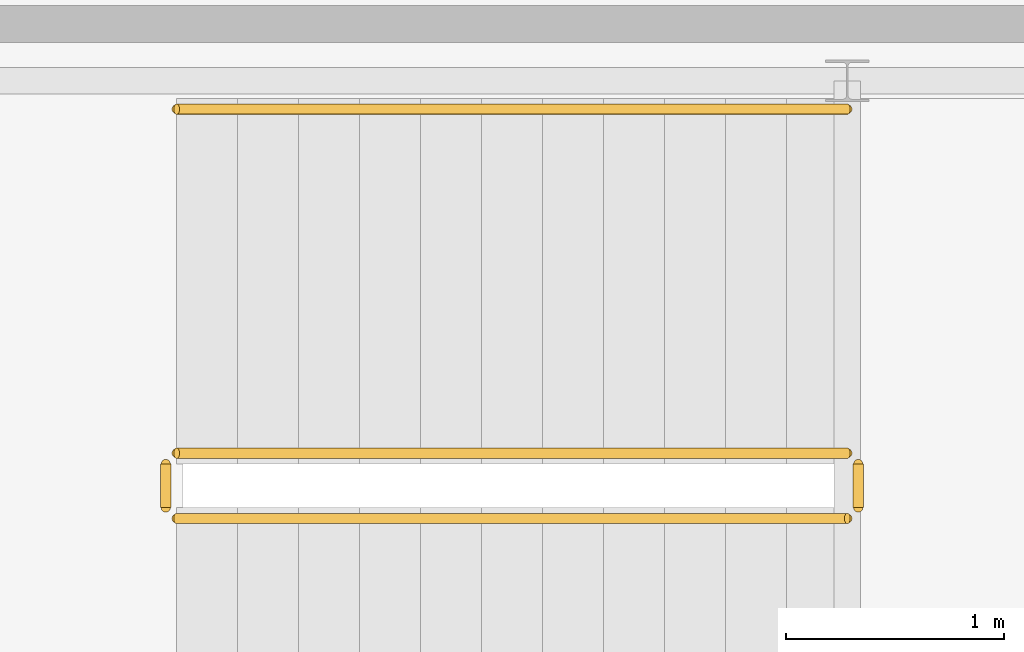
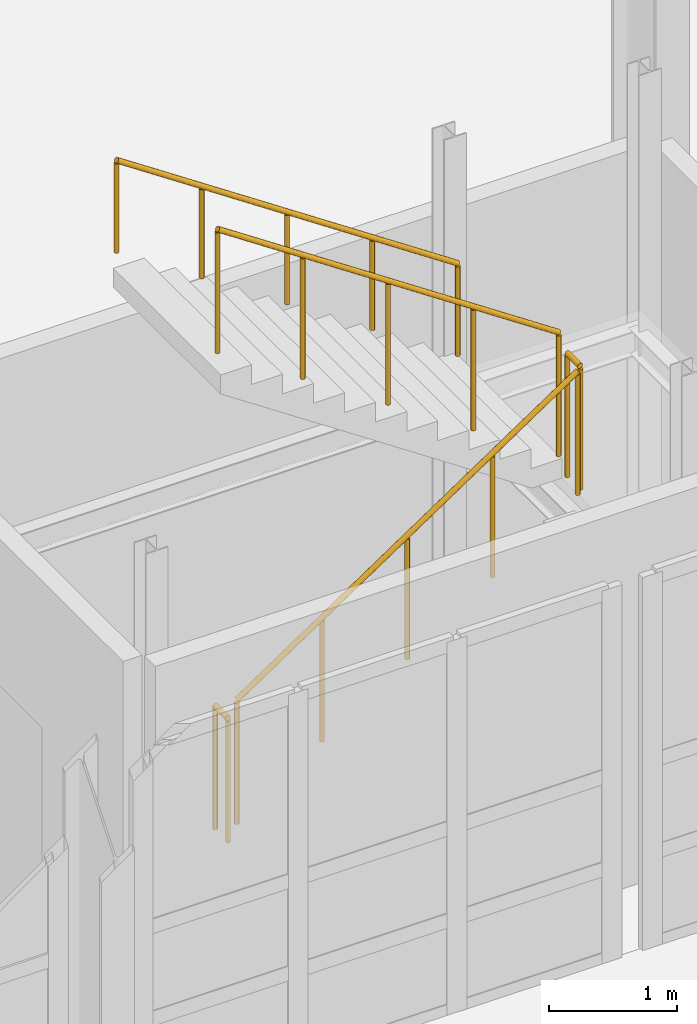
# One storey, part 75 of 78: 5 railings.
"""IFC4 building model written with IfcOpenShell, lengths in metres."""

from ifc_helpers import new_model, si_unit, direction, frame, origin, origin_2d, place, context, subcontext, project, spatial, circle, extrude, material, type_object, element, save


model = new_model("IFC4")

# Units and contexts
model_context = context("Model", 3, precision=1e-05, world=origin(), true_north=direction((0.0, 1.0)))
body_context = subcontext(model_context, "Body", "Model", "MODEL_VIEW")
ifc_project = project(units=[si_unit("LENGTHUNIT", "METRE"), si_unit("AREAUNIT", "SQUARE_METRE"), si_unit("VOLUMEUNIT", "CUBIC_METRE"), si_unit("PLANEANGLEUNIT", "RADIAN"), si_unit("MASSUNIT", "GRAM", prefix="KILO")], contexts=[model_context])

# Site, building, storey
site_placement = place(None, origin())
site = spatial("IfcSite", under=ifc_project, at=site_placement, CompositionType="ELEMENT")
building_placement = place(site_placement, origin())
building = spatial("IfcBuilding", under=site, at=building_placement, Name="Alderhovde Museum", CompositionType="ELEMENT")
storey_placement = place(building_placement, origin())
storey = spatial("IfcBuildingStorey", under=building, at=storey_placement, Name="L00", CompositionType="ELEMENT", Elevation=0.0)

# Railings
ifc_material_1 = material(Name="Painted Steel S355 Guardrail", Category="steel")
railing_type_1 = type_object("IfcRailingType", Name="RL-GUARD-1200", PredefinedType="GUARDRAIL", material=ifc_material_1)
railing_1_placement = place(storey_placement, frame((127.679931640625, 74.830078125, 0.1875)))
element("IfcRailing", 1, at=railing_1_placement, inside=storey, type_object=railing_type_1, Name="L00 ST4 stair guard 1", PredefinedType="GUARDRAIL", context=body_context, shape_type="SweptSolid", body=[
    extrude(circle(Radius=0.02392578125, at=origin_2d()), frame((0.0, 0.0, 1.17578125), z_axis=(0.830913701846, 0.0, 0.55640131208), x_axis=(0.0, 1.0, 0.0)), (0.0, 0.0, 1.0), 3.706787109375),
    extrude(circle(Radius=0.02099609375, at=origin_2d()), origin(), (0.0, 0.0, 1.0), 1.15185546875),
    extrude(circle(Radius=0.02099609375, at=origin_2d()), frame((0.77001953125, 0.0, 0.515625)), (0.0, 0.0, 1.0), 1.15185546875),
    extrude(circle(Radius=0.02099609375, at=origin_2d()), frame((1.5400390625, 0.0, 1.03125)), (0.0, 0.0, 1.0), 1.15185546875),
    extrude(circle(Radius=0.02099609375, at=origin_2d()), frame((2.31005859375, 0.0, 1.546875)), (0.0, 0.0, 1.0), 1.15185546875),
    extrude(circle(Radius=0.02099609375, at=origin_2d()), frame((3.080078125, 0.0, 2.0625)), (0.0, 0.0, 1.0), 1.15185546875),
])
railing_2_placement = place(storey_placement, frame((130.81005859375, 74.8798828125, 2.25)))
element("IfcRailing", 2, at=railing_2_placement, inside=storey, type_object=railing_type_1, Name="L00 ST4 stair guard 2", PredefinedType="GUARDRAIL", context=body_context, shape_type="SweptSolid", body=[
    extrude(circle(Radius=0.02392578125, at=origin_2d()), frame((0.0, 0.0, 1.17578125), z_axis=(0.0, 1.0, 0.0), x_axis=(-1.0, 0.0, 0.0)), (0.0, 0.0, 1.0), 0.2001953125),
    extrude(circle(Radius=0.02099609375, at=origin_2d()), origin(), (0.0, 0.0, 1.0), 1.15185546875),
    extrude(circle(Radius=0.02099609375, at=origin_2d()), frame((0.0, 0.2001953125, 0.0)), (0.0, 0.0, 1.0), 1.15185546875),
])
railing_3_placement = place(storey_placement, frame((130.760009765625, 75.1298828125, 2.4375)))
element("IfcRailing", 3, at=railing_3_placement, inside=storey, type_object=railing_type_1, Name="L00 ST4 stair guard 3", PredefinedType="GUARDRAIL", context=body_context, shape_type="SweptSolid", body=[
    extrude(circle(Radius=0.02392578125, at=origin_2d()), frame((0.0, 0.0, 1.17578125), z_axis=(-0.830913701846, 0.0, 0.55640131208), x_axis=(0.0, -1.0, 0.0)), (0.0, 0.0, 1.0), 3.706787109375),
    extrude(circle(Radius=0.02099609375, at=origin_2d()), origin(), (0.0, 0.0, 1.0), 1.15185546875),
    extrude(circle(Radius=0.02099609375, at=origin_2d()), frame((-0.77001953125, 0.0, 0.515625)), (0.0, 0.0, 1.0), 1.15185546875),
    extrude(circle(Radius=0.02099609375, at=origin_2d()), frame((-1.5400390625, 0.0, 1.03125)), (0.0, 0.0, 1.0), 1.15185546875),
    extrude(circle(Radius=0.02099609375, at=origin_2d()), frame((-2.31005859375, 0.0, 1.546875)), (0.0, 0.0, 1.0), 1.15185546875),
    extrude(circle(Radius=0.02099609375, at=origin_2d()), frame((-3.080078125, 0.0, 2.0625)), (0.0, 0.0, 1.0), 1.15185546875),
])
railing_4_placement = place(storey_placement, frame((127.6298828125, 74.8798828125, 0.0)))
element("IfcRailing", 4, at=railing_4_placement, inside=storey, type_object=railing_type_1, Name="L00 ST4 stair guard 4", PredefinedType="GUARDRAIL", context=body_context, shape_type="SweptSolid", body=[
    extrude(circle(Radius=0.02392578125, at=origin_2d()), frame((0.0, 0.0, 1.17578125), z_axis=(0.0, 1.0, 0.0), x_axis=(-1.0, 0.0, 0.0)), (0.0, 0.0, 1.0), 0.2001953125),
    extrude(circle(Radius=0.02099609375, at=origin_2d()), origin(), (0.0, 0.0, 1.0), 1.15185546875),
    extrude(circle(Radius=0.02099609375, at=origin_2d()), frame((0.0, 0.2001953125, 0.0)), (0.0, 0.0, 1.0), 1.15185546875),
])
ifc_material_2 = material(Name="Brushed Stainless Steel Handrail", Category="steel")
railing_type_2 = type_object("IfcRailingType", Name="RL-HANDRAIL-900", PredefinedType="HANDRAIL", material=ifc_material_2)
railing_5_placement = place(storey_placement, frame((130.760009765625, 76.7099609375, 2.4375)))
element("IfcRailing", 5, at=railing_5_placement, inside=storey, type_object=railing_type_2, Name="L00 ST4 stair handrail 2", PredefinedType="HANDRAIL", context=body_context, shape_type="SweptSolid", body=[
    extrude(circle(Radius=0.02392578125, at=origin_2d()), frame((0.0, 0.0, 0.8759765625), z_axis=(-0.830913701846, 0.0, 0.55640131208), x_axis=(0.0, -1.0, 0.0)), (0.0, 0.0, 1.0), 3.706787109375),
    extrude(circle(Radius=0.02099609375, at=origin_2d()), origin(), (0.0, 0.0, 1.0), 0.851806640625),
    extrude(circle(Radius=0.02099609375, at=origin_2d()), frame((-0.77001953125, 0.0, 0.515625)), (0.0, 0.0, 1.0), 0.851806640625),
    extrude(circle(Radius=0.02099609375, at=origin_2d()), frame((-1.5400390625, 0.0, 1.03125)), (0.0, 0.0, 1.0), 0.851806640625),
    extrude(circle(Radius=0.02099609375, at=origin_2d()), frame((-2.31005859375, 0.0, 1.546875)), (0.0, 0.0, 1.0), 0.851806640625),
    extrude(circle(Radius=0.02099609375, at=origin_2d()), frame((-3.080078125, 0.0, 2.0625)), (0.0, 0.0, 1.0), 0.851806640625),
])

save(model, "model.ifc")
